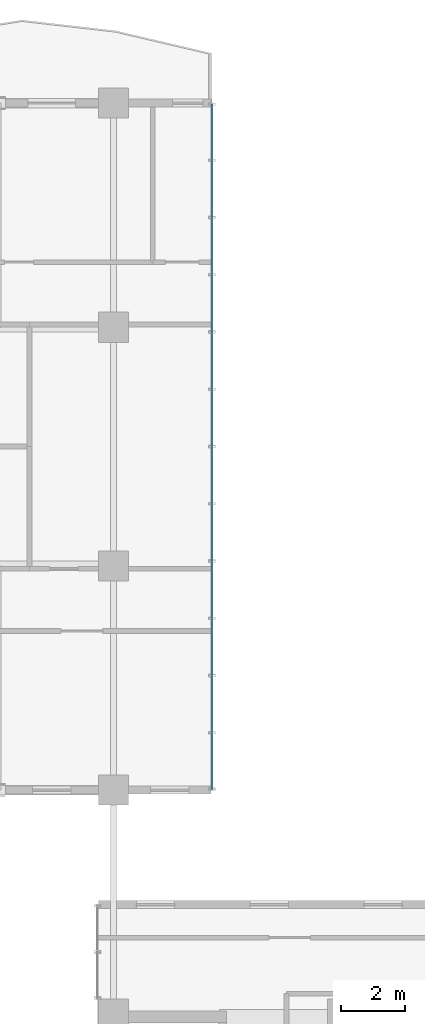
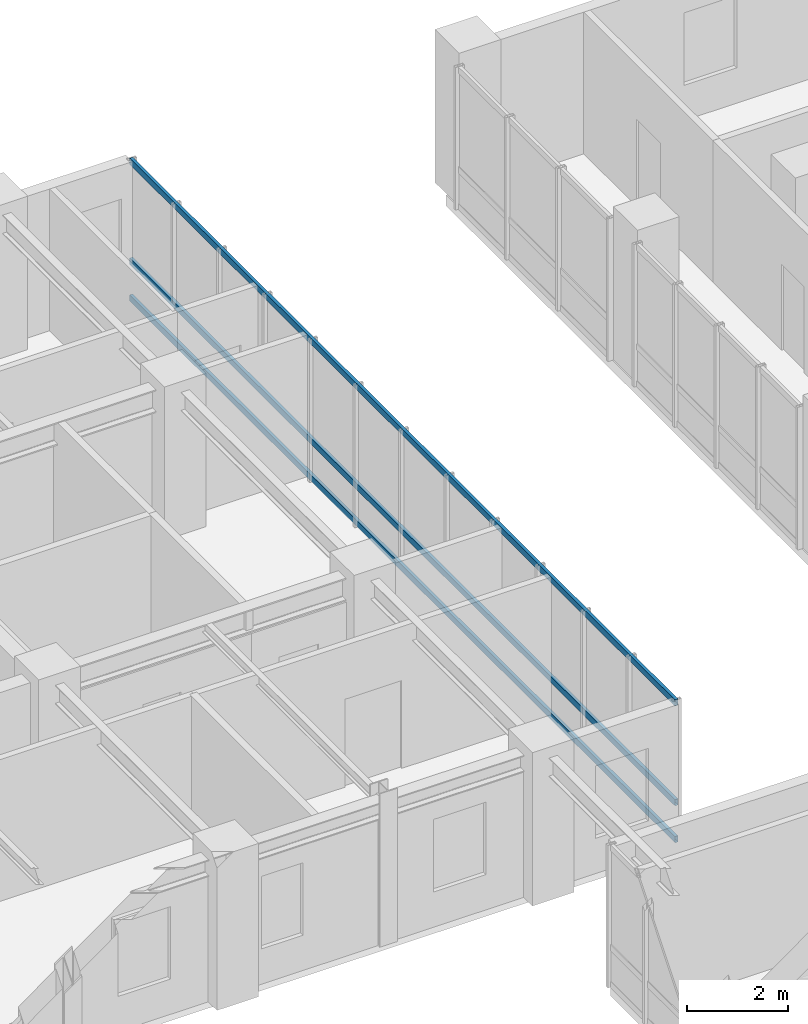
# One storey, part 11 of 24: 3 members, 1 element without a shape of its own.
"""IFC4 building model written with IfcOpenShell, lengths in metres."""

from ifc_helpers import new_model, si_unit, direction, frame, origin, origin_2d, place, context, subcontext, project, spatial, hollow_rectangle, extrude, source, transform, mapped, material, layer, layer_set, material_profile, profile_set, type_object, element, aggregate, save


model = new_model("IFC4")

# Units and contexts
model_context = context("Model", 3, precision=1e-05, world=origin(), true_north=direction((0.0, 1.0)))
body_context = subcontext(model_context, "Body", "Model", "MODEL_VIEW")
ifc_project = project(units=[si_unit("LENGTHUNIT", "METRE"), si_unit("AREAUNIT", "SQUARE_METRE"), si_unit("VOLUMEUNIT", "CUBIC_METRE"), si_unit("PLANEANGLEUNIT", "RADIAN"), si_unit("MASSUNIT", "GRAM", prefix="KILO")], contexts=[model_context])

# Site, building, storey
site_placement = place(None, origin())
site = spatial("IfcSite", under=ifc_project, at=site_placement, CompositionType="ELEMENT")
building_placement = place(site_placement, origin())
building = spatial("IfcBuilding", under=site, at=building_placement, Name="Kaliganga Portal Commons", CompositionType="ELEMENT")
storey_placement = place(building_placement, frame((0.0, 0.0, 238.800048828125)))
storey = spatial("IfcBuildingStorey", under=building, at=storey_placement, Name="L61", CompositionType="ELEMENT", Elevation=238.800048828125)

# Curtain wall, members
ifc_material_1 = material(Name="Anodized Aluminium and Laminated Low-E Glass", Category="aluminium")
ifc_layer = layer(ifc_material_1, 0.239990234375)
ifc_layer_set = layer_set([ifc_layer], Name="Anodized Aluminium and Laminated Low-E Glass")
curtain_wall_type = type_object("IfcCurtainWallType", Name="CW-SYS-04", PredefinedType="NOTDEFINED", material=ifc_layer_set)
curtain_wall_placement = place(storey_placement, origin())
curtain_wall = element("IfcCurtainWall", 1, at=curtain_wall_placement, inside=storey, type_object=curtain_wall_type, Name="CW 04 L61 P1E01S1", PredefinedType="NOTDEFINED")
ifc_material_2 = material(Name="Dark Bronze Anodized Aluminium", Category="aluminium")
ifc_material_profile = material_profile(ifc_material_2, hollow_rectangle(XDim=0.070068359375, YDim=0.14990234375, WallThickness=0.00341796875, at=origin_2d()), Name="ALU TRAN 70x150x3.5")
ifc_profile_set = profile_set([ifc_material_profile], Name="Dark Bronze Anodized Aluminium")
member_type = type_object("IfcMemberType", Name="CW-TRN-150", PredefinedType="USERDEFINED", material=ifc_profile_set)
shared_shape = source(origin(), body_context, "Body", "SweptSolid", [
    extrude(hollow_rectangle(XDim=0.070068359375, YDim=0.14990234375, WallThickness=0.00341796875, at=origin_2d()), origin(), (0.0, 0.0, 1.0), 21.559814453125),
])
member_1_placement = place(storey_placement, frame((39.10009765625, 21.6201171875, 0.06005859375), z_axis=(0.0, 1.0, 0.0), x_axis=(-1.0, 0.0, 0.0)))
member_1 = element("IfcMember", 2, at=member_1_placement, type_object=member_type, Name="CW:04:L61:P1E01S1 Transom 1", ObjectType="TRANSOM", PredefinedType="USERDEFINED", context=body_context, shape_type="MappedRepresentation", body=[
    mapped(shared_shape, transform((0.0, 0.0, 0.0), x_axis=(1.0, 0.0, 0.0), y_axis=(0.0, 1.0, 0.0), z_axis=(0.0, 0.0, 1.0), scale=1.0)),
])
member_2_placement = place(storey_placement, frame((39.10009765625, 21.6201171875, 0.949951171875), z_axis=(0.0, 1.0, 0.0), x_axis=(-1.0, 0.0, 0.0)))
member_2 = element("IfcMember", 3, at=member_2_placement, type_object=member_type, Name="CW:04:L61:P1E01S1 Transom 2", ObjectType="TRANSOM", PredefinedType="USERDEFINED", context=body_context, shape_type="MappedRepresentation", body=[
    mapped(shared_shape, transform((0.0, 0.0, 0.0), x_axis=(1.0, 0.0, 0.0), y_axis=(0.0, 1.0, 0.0), z_axis=(0.0, 0.0, 1.0), scale=1.0)),
])
member_3_placement = place(storey_placement, frame((39.10009765625, 21.6201171875, 3.35986328125), z_axis=(0.0, 1.0, 0.0), x_axis=(-1.0, 0.0, 0.0)))
member_3 = element("IfcMember", 4, at=member_3_placement, type_object=member_type, Name="CW:04:L61:P1E01S1 Transom 3", ObjectType="TRANSOM", PredefinedType="USERDEFINED", context=body_context, shape_type="MappedRepresentation", body=[
    mapped(shared_shape, transform((0.0, 0.0, 0.0), x_axis=(1.0, 0.0, 0.0), y_axis=(0.0, 1.0, 0.0), z_axis=(0.0, 0.0, 1.0), scale=1.0)),
])
aggregate(curtain_wall, [member_1, member_2, member_3])

save(model, "model.ifc")
